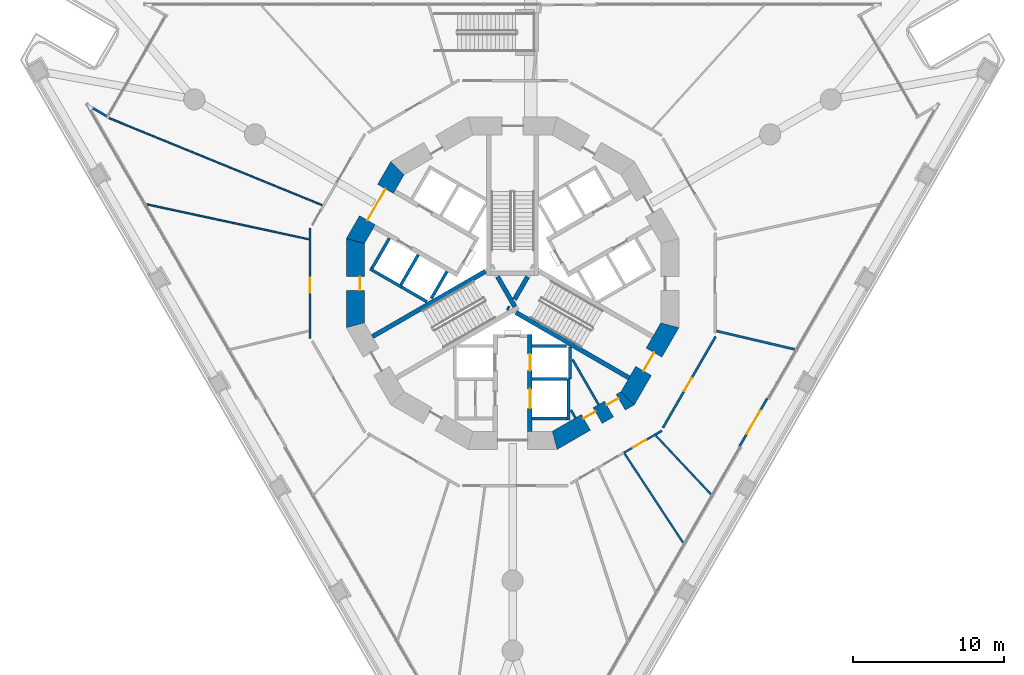
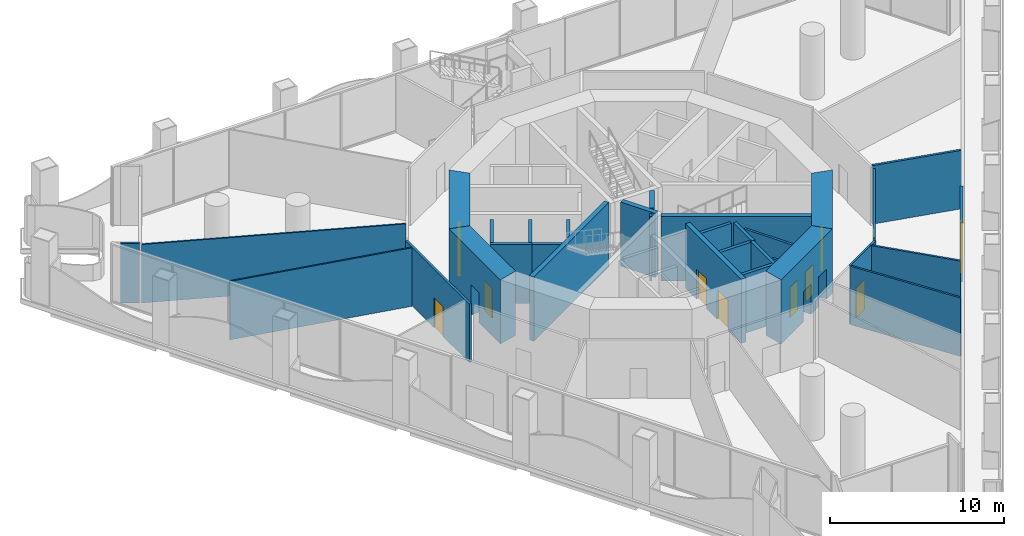
# One storey, part 11 of 21: 33 walls, 11 doors, 11 openings.
"""IFC4 building model written with IfcOpenShell, lengths in metres."""

from ifc_helpers import new_model, si_unit, direction, frame, frame_2d, origin, place, context, subcontext, project, spatial, polyline, rectangle, outline, extrude, material, layer, layer_set, type_object, element, fill, save


model = new_model("IFC4")

# Units and contexts
model_context = context("Model", 3, precision=1e-05, world=origin(), true_north=direction((0.0, 1.0)))
body_context = subcontext(model_context, "Body", "Model", "MODEL_VIEW")
ifc_project = project(units=[si_unit("LENGTHUNIT", "METRE"), si_unit("AREAUNIT", "SQUARE_METRE"), si_unit("VOLUMEUNIT", "CUBIC_METRE"), si_unit("PLANEANGLEUNIT", "RADIAN"), si_unit("MASSUNIT", "GRAM", prefix="KILO")], contexts=[model_context])

# Site, building, storey
site_placement = place(None, origin())
site = spatial("IfcSite", under=ifc_project, at=site_placement, CompositionType="ELEMENT")
building_placement = place(site_placement, origin())
building = spatial("IfcBuilding", under=site, at=building_placement, Name="Trine Commons Tower", CompositionType="ELEMENT")
storey_placement = place(building_placement, frame((0.0, 0.0, 9.0)))
storey = spatial("IfcBuildingStorey", under=building, at=storey_placement, Name="L01", CompositionType="ELEMENT", Elevation=9.0)

# Wall, opening, door
ifc_material_1 = material(Name="Plasterboard on steel stud", Category="steel")
ifc_layer_1 = layer(ifc_material_1, 0.14990234375)
ifc_layer_set_1 = layer_set([ifc_layer_1], Name="Plasterboard on steel stud")
wall_type_1 = type_object("IfcWallType", Name="Compartment wall 150 mm, EI 60", PredefinedType="PARTITIONING", material=ifc_layer_set_1)
wall_1_placement = place(storey_placement, frame((66.58837890625, 58.831298828125, 0.0), z_axis=(0.0, 0.0, 1.0), x_axis=(0.0, 1.0, 0.0)))
wall_1 = element("IfcWall", 1, at=wall_1_placement, inside=storey, type_object=wall_type_1, Name="Partition P1005", PredefinedType="PARTITIONING", context=body_context, shape_type="SweptSolid", body=[
    extrude(rectangle(XDim=7.33740234375, YDim=0.14990234375, at=frame_2d((3.668701171875, 0.0))), origin(), (0.0, 0.0, 1.0), 4.10009765625),
])
opening_1_placement = place(wall_1_placement, frame((3.039306640625, 0.0, 0.0)))
opening_1 = element("IfcOpeningElement", 2, at=opening_1_placement, cuts=wall_1, Name="Opening D-P101", PredefinedType="OPENING", context=body_context, shape_type="SweptSolid", body=[
    extrude(rectangle(XDim=1.0, YDim=2.10009765625, at=frame_2d((0.5, 1.050048828125))), frame((0.0, 0.0849609375, 0.0), z_axis=(0.0, -1.0, 0.0), x_axis=(1.0, 0.0, 0.0)), (0.0, 0.0, 1.0), 0.169921875),
])
ifc_material_2 = material(Name="Timber fire door set", Category="wood")
door_type_1 = type_object("IfcDoorType", Name="Single swing door 1000x2100, FD30S", OperationType="SINGLE_SWING_LEFT", PredefinedType="DOOR", material=ifc_material_2)
door_1_placement = place(opening_1_placement, origin())
door_1 = element("IfcDoor", 3, at=door_1_placement, inside=storey, type_object=door_type_1, Name="Door D-P101", OperationType="SINGLE_SWING_LEFT", OverallHeight=2.10009765625, OverallWidth=1.0, PredefinedType="DOOR", context=body_context, shape_type="SweptSolid", body=[
    extrude(rectangle(XDim=1.0, YDim=2.10009765625, at=frame_2d((0.5, 1.050048828125))), frame((0.0, 0.02490234375, 0.0), z_axis=(0.0, -1.0, 0.0), x_axis=(1.0, 0.0, 0.0)), (0.0, 0.0, 1.0), 0.050048828125),
])
fill(opening_1, door_1)

# Wall
wall_2_placement = place(storey_placement, frame((89.431396484375, 52.458984375, 0.0), z_axis=(0.0, 0.0, 1.0), x_axis=(0.866130991122, 0.499817072756, 0.0)))
element("IfcWall", 4, at=wall_2_placement, inside=storey, type_object=wall_type_1, Name="Partition P1028", PredefinedType="PARTITIONING", context=body_context, shape_type="SweptSolid", body=[
    extrude(rectangle(XDim=0.521240234375, YDim=0.14990234375, at=frame_2d((0.2607421875, 0.0))), origin(), (0.0, 0.0, 1.0), 4.10009765625),
])

# Wall, opening, door
wall_3_placement = place(storey_placement, frame((93.448974609375, 58.971435546875, 0.0), z_axis=(0.0, 0.0, 1.0), x_axis=(-0.49997871953, -0.866037689721, 0.0)))
wall_3 = element("IfcWall", 5, at=wall_3_placement, inside=storey, type_object=wall_type_1, Name="Partition P1030", PredefinedType="PARTITIONING", context=body_context, shape_type="SweptSolid", body=[
    extrude(rectangle(XDim=6.982177734375, YDim=0.14990234375, at=frame_2d((3.4912109375, 0.0))), origin(), (0.0, 0.0, 1.0), 4.10009765625),
])
opening_2_placement = place(wall_3_placement, frame((3.168701171875, 0.0, 0.0)))
opening_2 = element("IfcOpeningElement", 6, at=opening_2_placement, cuts=wall_3, Name="Opening D-P114", PredefinedType="OPENING", context=body_context, shape_type="SweptSolid", body=[
    extrude(rectangle(XDim=1.0, YDim=2.10009765625, at=frame_2d((0.5, 1.050048828125))), frame((0.0, 0.0849609375, 0.0), z_axis=(0.0, -1.0, 0.0), x_axis=(1.0, 0.0, 0.0)), (0.0, 0.0, 1.0), 0.169921875),
])
door_2_placement = place(opening_2_placement, origin())
door_2 = element("IfcDoor", 7, at=door_2_placement, inside=storey, type_object=door_type_1, Name="Door D-P114", OperationType="SINGLE_SWING_LEFT", OverallHeight=2.10009765625, OverallWidth=1.0, PredefinedType="DOOR", context=body_context, shape_type="SweptSolid", body=[
    extrude(rectangle(XDim=1.0, YDim=2.10009765625, at=frame_2d((0.5, 1.050048828125))), frame((0.0, 0.02490234375, 0.0), z_axis=(0.0, -1.0, 0.0), x_axis=(1.0, 0.0, 0.0)), (0.0, 0.0, 1.0), 0.050048828125),
])
fill(opening_2, door_2)

# Walls
wall_4_placement = place(storey_placement, frame((93.503662109375, 59.331298828125, 0.0), z_axis=(0.0, 0.0, 1.0), x_axis=(0.97355986618, -0.228432018255, 0.0)))
element("IfcWall", 8, at=wall_4_placement, inside=storey, type_object=wall_type_1, Name="Partition P1033", PredefinedType="PARTITIONING", context=body_context, shape_type="SweptSolid", body=[
    extrude(rectangle(XDim=5.333251953125, YDim=0.14990234375, at=frame_2d((2.66650390625, 0.0))), origin(), (0.0, 0.0, 1.0), 4.10009765625),
])
ifc_material_3 = material(Name="Plasterboard partition on steel studs", Category="steel")
ifc_layer_2 = layer(ifc_material_3, 0.14990234375)
ifc_layer_set_2 = layer_set([ifc_layer_2], Name="Plasterboard partition on steel studs")
wall_type_2 = type_object("IfcWallType", Name="Core room partition 150 mm, EI 60", PredefinedType="PARTITIONING", material=ifc_layer_set_2)
wall_5_placement = place(storey_placement, frame((84.1640625, 53.574951171875, 0.0), z_axis=(0.0, 0.0, 1.0), x_axis=(-0.500665675203, 0.865640734759, 0.0)))
element("IfcWall", 9, at=wall_5_placement, inside=storey, type_object=wall_type_2, Name="Core room partition L01", PredefinedType="PARTITIONING", context=body_context, shape_type="SweptSolid", body=[
    extrude(rectangle(XDim=0.597412109375, YDim=0.14990234375, at=frame_2d((0.298828125, 0.0))), origin(), (0.0, 0.0, 1.0), 4.14990234375),
])
wall_6_placement = place(storey_placement, frame((85.693115234375, 54.4580078125, 0.0), z_axis=(0.0, 0.0, 1.0), x_axis=(-0.500258757272, 0.865875958653, 0.0)))
element("IfcWall", 10, at=wall_6_placement, inside=storey, type_object=wall_type_2, Name="Core room partition L01", PredefinedType="PARTITIONING", context=body_context, shape_type="SweptSolid", body=[
    extrude(rectangle(XDim=3.454345703125, YDim=0.14990234375, at=frame_2d((1.72705078125, 0.0))), origin(), (0.0, 0.0, 1.0), 4.14990234375),
])

# Wall, opening, door
ifc_material_4 = material(Name="Aluminium-framed insulated wall panel", Category="aluminium")
ifc_layer_3 = layer(ifc_material_4, 0.14990234375)
ifc_layer_set_3 = layer_set([ifc_layer_3], Name="Aluminium-framed insulated wall panel")
wall_type_3 = type_object("IfcWallType", Name="Glazed entrance wall 150, EI 60", PredefinedType="SOLIDWALL", material=ifc_layer_set_3)
wall_7_placement = place(storey_placement, frame((96.876708984375, 54.89208984375, 0.0), z_axis=(0.0, 0.0, 1.0), x_axis=(-0.500029062817, -0.866008623709, 0.0)))
wall_7 = element("IfcWall", 11, at=wall_7_placement, inside=storey, type_object=wall_type_3, Name="Glazed entrance wall L01 F2 7", PredefinedType="SOLIDWALL", context=body_context, shape_type="SweptSolid", body=[
    extrude(rectangle(XDim=3.698974609375, YDim=0.14990234375, at=frame_2d((1.849609375, 0.0))), origin(), (0.0, 0.0, 1.0), 4.14990234375),
])
opening_3_placement = place(wall_7_placement, frame((0.949462890625, 0.0, 0.0)))
opening_3 = element("IfcOpeningElement", 12, at=opening_3_placement, cuts=wall_7, Name="Opening SD-L01-F2-07", PredefinedType="OPENING", context=body_context, shape_type="SweptSolid", body=[
    extrude(rectangle(XDim=1.800048828125, YDim=2.39990234375, at=frame_2d((0.89990234375, 1.199951171875))), frame((0.0, 0.0849609375, 0.0), z_axis=(0.0, -1.0, 0.0), x_axis=(1.0, 0.0, 0.0)), (0.0, 0.0, 1.0), 0.169921875),
])
ifc_material_5 = material(Name="Anodised aluminium frame with double glazing", Category="aluminium")
door_type_2 = type_object("IfcDoorType", Name="Sliding double door 1800x2400", OperationType="DOUBLE_DOOR_SLIDING", PredefinedType="DOOR", material=ifc_material_5)
door_3_placement = place(opening_3_placement, origin())
door_3 = element("IfcDoor", 13, at=door_3_placement, inside=storey, type_object=door_type_2, Name="Loggia door L01 F2 7", OperationType="DOUBLE_DOOR_SLIDING", OverallHeight=2.39990234375, OverallWidth=1.800048828125, PredefinedType="DOOR", context=body_context, shape_type="SweptSolid", body=[
    extrude(rectangle(XDim=1.800048828125, YDim=2.39990234375, at=frame_2d((0.89990234375, 1.199951171875))), frame((0.0, 0.02490234375, 0.0), z_axis=(0.0, -1.0, 0.0), x_axis=(1.0, 0.0, 0.0)), (0.0, 0.0, 1.0), 0.050048828125),
])
fill(opening_3, door_3)

# Walls
ifc_layer_4 = layer(ifc_material_4, 0.14990234375)
ifc_layer_set_4 = layer_set([ifc_layer_4], Name="Aluminium-framed insulated wall panel")
wall_type_4 = type_object("IfcWallType", Name="Glazed frame wall 150, EI 60", PredefinedType="SOLIDWALL", material=ifc_layer_set_4)
wall_8_placement = place(storey_placement, frame((52.074462890625, 74.159912109375, 0.0), z_axis=(0.0, 0.0, 1.0), x_axis=(0.865989100438, -0.500062873969, 0.0)))
element("IfcWall", 14, at=wall_8_placement, inside=storey, type_object=wall_type_4, Name="Glazed frame wall L01 R1", PredefinedType="SOLIDWALL", context=body_context, shape_type="SweptSolid", body=[
    extrude(outline(polyline([(0.1494140625, 0.074951171875), (0.1494140625, -0.074951171875), (1.235107421875, -0.074951171875), (1.235107421875, 0.074951171875), (0.1494140625, 0.074951171875)])), origin(), (0.0, 0.0, 1.0), 4.14990234375),
])
ifc_layer_5 = layer(ifc_material_1, 0.10009765625)
ifc_layer_set_5 = layer_set([ifc_layer_5], Name="Plasterboard on steel stud")
wall_type_5 = type_object("IfcWallType", Name="Partition wall 100 mm stud, not rated", PredefinedType="PARTITIONING", material=ifc_layer_set_5)
wall_9_placement = place(storey_placement, frame((53.2216796875, 73.45703125, 0.0), z_axis=(0.0, 0.0, 1.0), x_axis=(0.925520292398, -0.37869801737, 0.0)))
element("IfcWall", 15, at=wall_9_placement, inside=storey, type_object=wall_type_5, Name="Partition P1001", PredefinedType="PARTITIONING", context=body_context, shape_type="SweptSolid", body=[
    extrude(rectangle(XDim=15.315673828125, YDim=0.10009765625, at=frame_2d((7.65771484375, 0.0))), origin(), (0.0, 0.0, 1.0), 4.10009765625),
])
wall_10_placement = place(storey_placement, frame((55.756103515625, 67.722412109375, 0.0), z_axis=(0.0, 0.0, 1.0), x_axis=(0.97757728006, -0.210576972887, 0.0)))
element("IfcWall", 16, at=wall_10_placement, inside=storey, type_object=wall_type_5, Name="Partition P1002", PredefinedType="PARTITIONING", context=body_context, shape_type="SweptSolid", body=[
    extrude(rectangle(XDim=10.993408203125, YDim=0.10009765625, at=frame_2d((5.49658203125, 0.0))), origin(), (0.0, 0.0, 1.0), 4.10009765625),
])

# Wall, opening, door
ifc_material_6 = material(Name="Concrete C80/95", Category="concrete")
ifc_layer_6 = layer(ifc_material_6, 1.199951171875)
ifc_layer_set_6 = layer_set([ifc_layer_6], Name="Concrete C80/95")
wall_type_6 = type_object("IfcWallType", Name="RC shear wall 1200 mm, C80/95", PredefinedType="SHEAR", material=ifc_layer_set_6)
wall_11_placement = place(storey_placement, frame((72.45849609375, 70.260986328125, 0.0), z_axis=(0.0, 0.0, 1.0), x_axis=(-0.499979111662, -0.866037463336, 0.0)))
wall_11 = element("IfcWall", 17, at=wall_11_placement, inside=storey, type_object=wall_type_6, Name="Core wall CWA-06 L01", PredefinedType="SHEAR", context=body_context, shape_type="SweptSolid", body=[
    extrude(outline(polyline([(0.0, -0.60009765625), (5.901123046875, -0.60009765625), (5.57958984375, 0.60009765625), (0.321533203125, 0.60009765625), (0.0, -0.60009765625)])), origin(), (0.0, 0.0, 1.0), 4.5),
])
opening_4_placement = place(wall_11_placement, frame((1.75048828125, 0.0, 0.0)))
opening_4 = element("IfcOpeningElement", 18, at=opening_4_placement, cuts=wall_11, Name="Opening K04.06", PredefinedType="OPENING", context=body_context, shape_type="SweptSolid", body=[
    extrude(rectangle(XDim=2.39990234375, YDim=2.10009765625, at=frame_2d((1.199951171875, 1.050048828125))), frame((0.0, 0.60986328125, 0.0), z_axis=(0.0, -1.0, 0.0), x_axis=(1.0, 0.0, 0.0)), (0.0, 0.0, 1.0), 1.219970703125),
])
ifc_material_7 = material(Name="Steel door leaves, fire-rated", Category="steel")
door_type_3 = type_object("IfcDoorType", Name="Lobby door, double leaf 2400 x 2100, FD60", OperationType="DOUBLE_DOOR_SINGLE_SWING", PredefinedType="DOOR", material=ifc_material_7)
door_4_placement = place(opening_4_placement, origin())
door_4 = element("IfcDoor", 19, at=door_4_placement, inside=storey, type_object=door_type_3, Name="Lobby door, Passenger lift lobby B L01", OperationType="DOUBLE_DOOR_SINGLE_SWING", OverallHeight=2.10009765625, OverallWidth=2.39990234375, PredefinedType="DOOR", context=body_context, shape_type="SweptSolid", body=[
    extrude(rectangle(XDim=2.39990234375, YDim=2.10009765625, at=frame_2d((1.199951171875, 1.050048828125))), frame((0.0, 0.02490234375, 0.0), z_axis=(0.0, -1.0, 0.0), x_axis=(1.0, 0.0, 0.0)), (0.0, 0.0, 1.0), 0.050048828125),
])
fill(opening_4, door_4)

wall_12_placement = place(storey_placement, frame((69.58837890625, 65.450439453125, 0.0), z_axis=(0.0, 0.0, 1.0), x_axis=(0.0, -1.0, 0.0)))
wall_12 = element("IfcWall", 20, at=wall_12_placement, inside=storey, type_object=wall_type_6, Name="Core wall CWA-07 L01", PredefinedType="SHEAR", context=body_context, shape_type="SweptSolid", body=[
    extrude(outline(polyline([(0.0, -0.60009765625), (5.90087890625, -0.60009765625), (5.57958984375, 0.60009765625), (0.321533203125, 0.60009765625), (0.0, -0.60009765625)])), origin(), (0.0, 0.0, 1.0), 4.5),
])
opening_5_placement = place(wall_12_placement, frame((2.525390625, 0.0, 0.0)))
opening_5 = element("IfcOpeningElement", 21, at=opening_5_placement, cuts=wall_12, Name="Opening K04.14", PredefinedType="OPENING", context=body_context, shape_type="SweptSolid", body=[
    extrude(rectangle(XDim=0.89990234375, YDim=2.10009765625, at=frame_2d((0.449951171875, 1.050048828125))), frame((0.0, 0.60986328125, 0.0), z_axis=(0.0, -1.0, 0.0), x_axis=(1.0, 0.0, 0.0)), (0.0, 0.0, 1.0), 1.219970703125),
])
ifc_material_8 = material(Name="Steel door leaf, fire-rated", Category="steel")
door_type_4 = type_object("IfcDoorType", Name="Core room door, single leaf 900 x 2100, FD30S", OperationType="SINGLE_SWING_LEFT", PredefinedType="DOOR", material=ifc_material_8)
door_5_placement = place(opening_5_placement, origin())
door_5 = element("IfcDoor", 22, at=door_5_placement, inside=storey, type_object=door_type_4, Name="Door to Print room L01", OperationType="SINGLE_SWING_RIGHT", OverallHeight=2.10009765625, OverallWidth=0.89990234375, PredefinedType="DOOR", context=body_context, shape_type="SweptSolid", body=[
    extrude(rectangle(XDim=0.89990234375, YDim=2.10009765625, at=frame_2d((0.449951171875, 1.050048828125))), frame((0.0, 0.3251953125, 0.0), z_axis=(0.0, -1.0, 0.0), x_axis=(1.0, 0.0, 0.0)), (0.0, 0.0, 1.0), 0.050048828125),
])
fill(opening_5, door_5)

# Wall, openings, doors
wall_13_placement = place(storey_placement, frame((82.650390625, 52.008056640625, 0.0), z_axis=(0.0, 0.0, 1.0), x_axis=(0.866037463336, 0.499979111662, 0.0)))
wall_13 = element("IfcWall", 23, at=wall_13_placement, inside=storey, type_object=wall_type_6, Name="Core wall CWA-11 L01", PredefinedType="SHEAR", context=body_context, shape_type="SweptSolid", body=[
    extrude(outline(polyline([(0.0, -0.60009765625), (5.901123046875, -0.60009765625), (5.57958984375, 0.60009765625), (0.321533203125, 0.60009765625), (0.0, -0.60009765625)])), origin(), (0.0, 0.0, 1.0), 4.5),
])
opening_6_placement = place(wall_13_placement, frame((2.543701171875, 0.0, 0.0)))
opening_6 = element("IfcOpeningElement", 24, at=opening_6_placement, cuts=wall_13, Name="Opening K04.16", PredefinedType="OPENING", context=body_context, shape_type="SweptSolid", body=[
    extrude(rectangle(XDim=0.89990234375, YDim=2.10009765625, at=frame_2d((0.449951171875, 1.050048828125))), frame((0.0, 0.60986328125, 0.0), z_axis=(0.0, -1.0, 0.0), x_axis=(1.0, 0.0, 0.0)), (0.0, 0.0, 1.0), 1.219970703125),
])
opening_7_placement = place(wall_13_placement, frame((4.308837890625, 0.0, 0.0)))
opening_7 = element("IfcOpeningElement", 25, at=opening_7_placement, cuts=wall_13, Name="Opening K04.17", PredefinedType="OPENING", context=body_context, shape_type="SweptSolid", body=[
    extrude(rectangle(XDim=0.89990234375, YDim=2.10009765625, at=frame_2d((0.449951171875, 1.050048828125))), frame((0.0, 0.60986328125, 0.0), z_axis=(0.0, -1.0, 0.0), x_axis=(1.0, 0.0, 0.0)), (0.0, 0.0, 1.0), 1.219970703125),
])
door_6_placement = place(opening_6_placement, origin())
door_6 = element("IfcDoor", 26, at=door_6_placement, inside=storey, type_object=door_type_4, Name="Door to Linen store L01", OperationType="SINGLE_SWING_RIGHT", OverallHeight=2.10009765625, OverallWidth=0.89990234375, PredefinedType="DOOR", context=body_context, shape_type="SweptSolid", body=[
    extrude(rectangle(XDim=0.89990234375, YDim=2.10009765625, at=frame_2d((0.449951171875, 1.050048828125))), frame((0.0, 0.3251953125, 0.0), z_axis=(0.0, -1.0, 0.0), x_axis=(1.0, 0.0, 0.0)), (0.0, 0.0, 1.0), 0.050048828125),
])
fill(opening_6, door_6)
door_7_placement = place(opening_7_placement, origin())
door_7 = element("IfcDoor", 27, at=door_7_placement, inside=storey, type_object=door_type_4, Name="Door to Pantry L01", OperationType="SINGLE_SWING_RIGHT", OverallHeight=2.10009765625, OverallWidth=0.89990234375, PredefinedType="DOOR", context=body_context, shape_type="SweptSolid", body=[
    extrude(rectangle(XDim=0.89990234375, YDim=2.10009765625, at=frame_2d((0.449951171875, 1.050048828125))), frame((0.0, 0.3251953125, 0.0), z_axis=(0.0, -1.0, 0.0), x_axis=(1.0, 0.0, 0.0)), (0.0, 0.0, 1.0), 0.050048828125),
])
fill(opening_7, door_7)

# Wall, opening, door
wall_14_placement = place(storey_placement, frame((87.54150390625, 54.739013671875, 0.0), z_axis=(0.0, 0.0, 1.0), x_axis=(0.499979111662, 0.866037463336, 0.0)))
wall_14 = element("IfcWall", 28, at=wall_14_placement, inside=storey, type_object=wall_type_6, Name="Core wall CWA-12 L01", PredefinedType="SHEAR", context=body_context, shape_type="SweptSolid", body=[
    extrude(outline(polyline([(0.0, -0.60009765625), (5.901123046875, -0.60009765625), (5.57958984375, 0.60009765625), (0.321533203125, 0.60009765625), (0.0, -0.60009765625)])), origin(), (0.0, 0.0, 1.0), 4.5),
])
opening_8_placement = place(wall_14_placement, frame((2.25048828125, 0.0, 0.0)))
opening_8 = element("IfcOpeningElement", 29, at=opening_8_placement, cuts=wall_14, Name="Opening K04.03", PredefinedType="OPENING", context=body_context, shape_type="SweptSolid", body=[
    extrude(rectangle(XDim=1.39990234375, YDim=2.10009765625, at=frame_2d((0.699951171875, 1.050048828125))), frame((0.0, 0.60986328125, 0.0), z_axis=(0.0, -1.0, 0.0), x_axis=(1.0, 0.0, 0.0)), (0.0, 0.0, 1.0), 1.219970703125),
])
door_type_5 = type_object("IfcDoorType", Name="Stair door, double leaf 1400 x 2100, FD90", OperationType="DOUBLE_DOOR_SINGLE_SWING", PredefinedType="DOOR", material=ifc_material_7)
door_8_placement = place(opening_8_placement, origin())
door_8 = element("IfcDoor", 30, at=door_8_placement, inside=storey, type_object=door_type_5, Name="Stair door to Exit stair ST3A L01", OperationType="DOUBLE_DOOR_SINGLE_SWING", OverallHeight=2.10009765625, OverallWidth=1.39990234375, PredefinedType="DOOR", context=body_context, shape_type="SweptSolid", body=[
    extrude(rectangle(XDim=1.39990234375, YDim=2.10009765625, at=frame_2d((0.699951171875, 1.050048828125))), frame((0.0, 0.02490234375, 0.0), z_axis=(0.0, -1.0, 0.0), x_axis=(1.0, 0.0, 0.0)), (0.0, 0.0, 1.0), 0.050048828125),
])
fill(opening_8, door_8)

# Wall, openings, doors
ifc_layer_7 = layer(ifc_material_6, 0.300048828125)
ifc_layer_set_7 = layer_set([ifc_layer_7], Name="Concrete C80/95")
wall_type_7 = type_object("IfcWallType", Name="RC shear wall 300 mm, C80/95", PredefinedType="SHEAR", material=ifc_layer_set_7)
wall_15_placement = place(storey_placement, frame((81.14990234375, 59.10009765625, 0.0), z_axis=(0.0, 0.0, 1.0), x_axis=(0.0, -1.0, 0.0)))
wall_15 = element("IfcWall", 31, at=wall_15_placement, inside=storey, type_object=wall_type_7, Name="Core cross wall SWA-04 L01", PredefinedType="SHEAR", context=body_context, shape_type="SweptSolid", body=[
    extrude(rectangle(XDim=6.412109375, YDim=0.300048828125, at=frame_2d((3.2060546875, 0.0))), origin(), (0.0, 0.0, 1.0), 4.5),
])
opening_9_placement = place(wall_15_placement, frame((3.60009765625, 0.0, 0.0)))
opening_9 = element("IfcOpeningElement", 32, at=opening_9_placement, cuts=wall_15, Name="Opening LD11", PredefinedType="OPENING", context=body_context, shape_type="SweptSolid", body=[
    extrude(rectangle(XDim=1.300048828125, YDim=2.10009765625, at=frame_2d((0.64990234375, 1.050048828125))), frame((0.0, 0.159912109375, 0.0), z_axis=(0.0, -1.0, 0.0), x_axis=(1.0, 0.0, 0.0)), (0.0, 0.0, 1.0), 0.320068359375),
])
opening_10_placement = place(wall_15_placement, frame((1.300048828125, 0.0, 0.0)))
opening_10 = element("IfcOpeningElement", 33, at=opening_10_placement, cuts=wall_15, Name="Opening LD9", PredefinedType="OPENING", context=body_context, shape_type="SweptSolid", body=[
    extrude(rectangle(XDim=1.10009765625, YDim=2.10009765625, at=frame_2d((0.550048828125, 1.050048828125))), frame((0.0, 0.159912109375, 0.0), z_axis=(0.0, -1.0, 0.0), x_axis=(1.0, 0.0, 0.0)), (0.0, 0.0, 1.0), 0.320068359375),
])
ifc_material_9 = material(Name="Stainless steel sliding door leaves", Category="steel")
door_type_6 = type_object("IfcDoorType", Name="Lift landing door, centre-opening sliding 1100 x 2100, FD90", OperationType="DOUBLE_DOOR_SLIDING", PredefinedType="DOOR", material=ifc_material_9)
door_9_placement = place(opening_10_placement, origin())
door_9 = element("IfcDoor", 34, at=door_9_placement, inside=storey, type_object=door_type_6, Name="Lift landing door FF1 L01", OperationType="DOUBLE_DOOR_SLIDING", OverallHeight=2.10009765625, OverallWidth=1.10009765625, PredefinedType="DOOR", context=body_context, shape_type="SweptSolid", body=[
    extrude(rectangle(XDim=1.10009765625, YDim=2.10009765625, at=frame_2d((0.550048828125, 1.050048828125))), frame((0.0, 0.02490234375, 0.0), z_axis=(0.0, -1.0, 0.0), x_axis=(1.0, 0.0, 0.0)), (0.0, 0.0, 1.0), 0.050048828125),
])
fill(opening_10, door_9)
door_type_7 = type_object("IfcDoorType", Name="Lift landing door, centre-opening sliding 1300 x 2100, FD90", OperationType="DOUBLE_DOOR_SLIDING", PredefinedType="DOOR", material=ifc_material_9)
door_10_placement = place(opening_9_placement, origin())
door_10 = element("IfcDoor", 35, at=door_10_placement, inside=storey, type_object=door_type_7, Name="Lift landing door G1 L01", OperationType="DOUBLE_DOOR_SLIDING", OverallHeight=2.10009765625, OverallWidth=1.300048828125, PredefinedType="DOOR", context=body_context, shape_type="SweptSolid", body=[
    extrude(rectangle(XDim=1.300048828125, YDim=2.10009765625, at=frame_2d((0.64990234375, 1.050048828125))), frame((0.0, 0.02490234375, 0.0), z_axis=(0.0, -1.0, 0.0), x_axis=(1.0, 0.0, 0.0)), (0.0, 0.0, 1.0), 0.050048828125),
])
fill(opening_9, door_10)

# Walls
wall_16_placement = place(storey_placement, frame((78.199951171875, 63.280029296875, 0.0), z_axis=(0.0, 0.0, 1.0), x_axis=(-0.865965399159, -0.500103916661, 0.0)))
element("IfcWall", 36, at=wall_16_placement, inside=storey, type_object=wall_type_7, Name="Core cross wall SWA-07 L01", PredefinedType="SHEAR", context=body_context, shape_type="SweptSolid", body=[
    extrude(rectangle(XDim=8.642333984375, YDim=0.300048828125, at=frame_2d((4.3212890625, 0.0))), origin(), (0.0, 0.0, 1.0), 4.5),
])
wall_17_placement = place(storey_placement, frame((79.0029296875, 62.926025390625, 0.0), z_axis=(0.0, 0.0, 1.0), x_axis=(0.499965247104, -0.866045467449, 0.0)))
element("IfcWall", 37, at=wall_17_placement, inside=storey, type_object=wall_type_7, Name="Core cross wall SWA-10 L01", PredefinedType="SHEAR", context=body_context, shape_type="SweptSolid", body=[
    extrude(rectangle(XDim=2.292236328125, YDim=0.300048828125, at=frame_2d((1.14599609375, 0.0))), origin(), (0.0, 0.0, 1.0), 4.5),
])
wall_18_placement = place(storey_placement, frame((79.64599609375, 60.885986328125, 0.0), z_axis=(0.0, 0.0, 1.0), x_axis=(0.867331893649, -0.497730234424, 0.0)))
element("IfcWall", 38, at=wall_18_placement, inside=storey, type_object=wall_type_7, Name="Core cross wall SWA-11 L01", PredefinedType="SHEAR", context=body_context, shape_type="SweptSolid", body=[
    extrude(rectangle(XDim=0.148681640625, YDim=0.300048828125, at=frame_2d((0.07421875, 0.0))), origin(), (0.0, 0.0, 1.0), 4.5),
])
wall_19_placement = place(storey_placement, frame((80.1298828125, 61.424072265625, 0.0), z_axis=(0.0, 0.0, 1.0), x_axis=(0.500014901547, 0.866016800201, 0.0)))
element("IfcWall", 39, at=wall_19_placement, inside=storey, type_object=wall_type_7, Name="Core cross wall SWA-12 L01", PredefinedType="SHEAR", context=body_context, shape_type="SweptSolid", body=[
    extrude(rectangle(XDim=1.734375, YDim=0.300048828125, at=frame_2d((0.8671875, 0.0))), origin(), (0.0, 0.0, 1.0), 4.5),
])
wall_20_placement = place(storey_placement, frame((80.22509765625, 60.552001953125, 0.0), z_axis=(0.0, 0.0, 1.0), x_axis=(0.865965399159, -0.500103916661, 0.0)))
element("IfcWall", 40, at=wall_20_placement, inside=storey, type_object=wall_type_7, Name="Core cross wall SWA-13 L01", PredefinedType="SHEAR", context=body_context, shape_type="SweptSolid", body=[
    extrude(rectangle(XDim=8.642333984375, YDim=0.300048828125, at=frame_2d((4.3212890625, 0.0))), origin(), (0.0, 0.0, 1.0), 4.5),
])
ifc_material_10 = material(Name="Fire-rated gypsum shaft wall system")
ifc_layer_8 = layer(ifc_material_10, 0.199951171875)
ifc_layer_set_8 = layer_set([ifc_layer_8], Name="Fire-rated gypsum shaft wall system")
wall_type_8 = type_object("IfcWallType", Name="Shaft wall 200 mm, EI 120", PredefinedType="PARTITIONING", material=ifc_layer_set_8)
wall_21_placement = place(storey_placement, frame((71.844970703125, 65.47607421875, 0.0), z_axis=(0.0, 0.0, 1.0), x_axis=(-0.500136062276, -0.86594683394, 0.0)))
element("IfcWall", 41, at=wall_21_placement, inside=storey, type_object=wall_type_8, Name="Shaft wall L01", PredefinedType="PARTITIONING", context=body_context, shape_type="SweptSolid", body=[
    extrude(rectangle(XDim=2.299072265625, YDim=0.199951171875, at=frame_2d((1.1494140625, 0.0))), origin(), (0.0, 0.0, 1.0), 4.14990234375),
])
wall_22_placement = place(storey_placement, frame((72.637939453125, 62.248046875, 0.0), z_axis=(0.0, 0.0, 1.0), x_axis=(-0.866177122335, 0.499737123639, 0.0)))
element("IfcWall", 42, at=wall_22_placement, inside=storey, type_object=wall_type_8, Name="Shaft wall L01", PredefinedType="PARTITIONING", context=body_context, shape_type="SweptSolid", body=[
    extrude(rectangle(XDim=2.401123046875, YDim=0.199951171875, at=frame_2d((1.20068359375, 0.0))), origin(), (0.0, 0.0, 1.0), 4.14990234375),
])
wall_23_placement = place(storey_placement, frame((73.7509765625, 64.3759765625, 0.0), z_axis=(0.0, 0.0, 1.0), x_axis=(-0.500136062276, -0.86594683394, 0.0)))
element("IfcWall", 43, at=wall_23_placement, inside=storey, type_object=wall_type_8, Name="Shaft wall L01", PredefinedType="PARTITIONING", context=body_context, shape_type="SweptSolid", body=[
    extrude(rectangle(XDim=2.299072265625, YDim=0.199951171875, at=frame_2d((1.1494140625, 0.0))), origin(), (0.0, 0.0, 1.0), 4.14990234375),
])
wall_24_placement = place(storey_placement, frame((74.324951171875, 61.27294921875, 0.0), z_axis=(0.0, 0.0, 1.0), x_axis=(-0.865780634835, 0.500423712812, 0.0)))
element("IfcWall", 44, at=wall_24_placement, inside=storey, type_object=wall_type_8, Name="Shaft wall L01", PredefinedType="PARTITIONING", context=body_context, shape_type="SweptSolid", body=[
    extrude(rectangle(XDim=1.948486328125, YDim=0.199951171875, at=frame_2d((0.97412109375, 0.0))), origin(), (0.0, 0.0, 1.0), 4.14990234375),
])
wall_25_placement = place(storey_placement, frame((75.656005859375, 63.27587890625, 0.0), z_axis=(0.0, 0.0, 1.0), x_axis=(-0.500271688072, -0.86586848777, 0.0)))
element("IfcWall", 45, at=wall_25_placement, inside=storey, type_object=wall_type_8, Name="Shaft wall L01", PredefinedType="PARTITIONING", context=body_context, shape_type="SweptSolid", body=[
    extrude(rectangle(XDim=2.064697265625, YDim=0.199951171875, at=frame_2d((1.0322265625, 0.0))), origin(), (0.0, 0.0, 1.0), 4.14990234375),
])
for number, where, z_axis, x_axis, name in (
    (46, (81.300048828125, 53.550048828125, 0.0), (0.0, 0.0, 1.0), (1.0, 0.0, 0.0), "Shaft wall L01"),
    (47, (81.300048828125, 56.14990234375, 0.0), (0.0, 0.0, 1.0), (1.0, 0.0, 0.0), "Shaft wall L01"),
):
    element("IfcWall", number, at=place(storey_placement, frame(where, z_axis=z_axis, x_axis=x_axis)), inside=storey, type_object=wall_type_8, Name=name, PredefinedType="PARTITIONING", context=body_context, shape_type="SweptSolid", body=[
        extrude(rectangle(XDim=2.300048828125, YDim=0.199951171875, at=frame_2d((1.14990234375, 0.0))), origin(), (0.0, 0.0, 1.0), 4.14990234375),
    ])
wall_26_placement = place(storey_placement, frame((81.300048828125, 58.35009765625, 0.0), z_axis=(0.0, 0.0, 1.0), x_axis=(1.0, 0.0, 0.0)))
element("IfcWall", 48, at=wall_26_placement, inside=storey, type_object=wall_type_8, Name="Shaft wall L01", PredefinedType="PARTITIONING", context=body_context, shape_type="SweptSolid", body=[
    extrude(rectangle(XDim=2.264892578125, YDim=0.199951171875, at=frame_2d((1.13232421875, 0.0))), origin(), (0.0, 0.0, 1.0), 4.14990234375),
])
wall_27_placement = place(storey_placement, frame((83.699951171875, 56.14990234375, 0.0), z_axis=(0.0, 0.0, 1.0), x_axis=(0.0, -1.0, 0.0)))
element("IfcWall", 49, at=wall_27_placement, inside=storey, type_object=wall_type_8, Name="Shaft wall L01", PredefinedType="PARTITIONING", context=body_context, shape_type="SweptSolid", body=[
    extrude(rectangle(XDim=2.699951171875, YDim=0.199951171875, at=frame_2d((1.35009765625, 0.0))), origin(), (0.0, 0.0, 1.0), 4.14990234375),
])
wall_28_placement = place(storey_placement, frame((83.800048828125, 58.256103515625, 0.0), z_axis=(0.0, 0.0, 1.0), x_axis=(0.0, -1.0, 0.0)))
element("IfcWall", 50, at=wall_28_placement, inside=storey, type_object=wall_type_8, Name="Shaft wall L01", PredefinedType="PARTITIONING", context=body_context, shape_type="SweptSolid", body=[
    extrude(rectangle(XDim=2.106201171875, YDim=0.199951171875, at=frame_2d((1.05322265625, 0.0))), origin(), (0.0, 0.0, 1.0), 4.14990234375),
])

# Wall, opening, door
ifc_layer_9 = layer(ifc_material_1, 0.125)
ifc_layer_set_9 = layer_set([ifc_layer_9], Name="Plasterboard on steel stud")
wall_type_9 = type_object("IfcWallType", Name="Wet wall 125 mm stud, not rated", PredefinedType="PARTITIONING", material=ifc_layer_set_9)
wall_29_placement = place(storey_placement, frame((89.431640625, 52.458984375, 0.0), z_axis=(0.0, 0.0, 1.0), x_axis=(-0.866052053466, -0.499953838557, 0.0)))
wall_29 = element("IfcWall", 51, at=wall_29_placement, inside=storey, type_object=wall_type_9, Name="Partition P1025", PredefinedType="PARTITIONING", context=body_context, shape_type="SweptSolid", body=[
    extrude(rectangle(XDim=2.374755859375, YDim=0.125, at=frame_2d((1.1875, 0.0))), origin(), (0.0, 0.0, 1.0), 4.10009765625),
])
opening_11_placement = place(wall_29_placement, frame((0.6875, 0.0, 0.0)))
opening_11 = element("IfcOpeningElement", 52, at=opening_11_placement, cuts=wall_29, Name="Opening D-P113", PredefinedType="OPENING", context=body_context, shape_type="SweptSolid", body=[
    extrude(rectangle(XDim=1.0, YDim=2.10009765625, at=frame_2d((0.5, 1.050048828125))), frame((0.0, 0.072509765625, 0.0), z_axis=(0.0, -1.0, 0.0), x_axis=(1.0, 0.0, 0.0)), (0.0, 0.0, 1.0), 0.14501953125),
])
ifc_material_11 = material(Name="Painted timber", Category="wood")
door_type_8 = type_object("IfcDoorType", Name="Single swing door 1000x2100, not rated", OperationType="SINGLE_SWING_LEFT", PredefinedType="DOOR", material=ifc_material_11)
door_11_placement = place(opening_11_placement, origin())
door_11 = element("IfcDoor", 53, at=door_11_placement, inside=storey, type_object=door_type_8, Name="Door D-P113", OperationType="SINGLE_SWING_LEFT", OverallHeight=2.10009765625, OverallWidth=1.0, PredefinedType="DOOR", context=body_context, shape_type="SweptSolid", body=[
    extrude(rectangle(XDim=1.0, YDim=2.10009765625, at=frame_2d((0.5, 1.050048828125))), frame((0.0, 0.02490234375, 0.0), z_axis=(0.0, -1.0, 0.0), x_axis=(1.0, 0.0, 0.0)), (0.0, 0.0, 1.0), 0.050048828125),
])
fill(opening_11, door_11)

# Walls
wall_30_placement = place(storey_placement, frame((87.41162109375, 51.21630859375, 0.0), z_axis=(0.0, 0.0, 1.0), x_axis=(0.549012711585, -0.835813999953, 0.0)))
element("IfcWall", 54, at=wall_30_placement, inside=storey, type_object=wall_type_9, Name="Partition P1026", PredefinedType="PARTITIONING", context=body_context, shape_type="SweptSolid", body=[
    extrude(rectangle(XDim=7.0791015625, YDim=0.125, at=frame_2d((3.53955078125, 0.0))), origin(), (0.0, 0.0, 1.0), 4.10009765625),
])
wall_31_placement = place(storey_placement, frame((89.494384765625, 52.39208984375, 0.0), z_axis=(0.0, 0.0, 1.0), x_axis=(0.684637896696, -0.728883358575, 0.0)))
element("IfcWall", 55, at=wall_31_placement, inside=storey, type_object=wall_type_9, Name="Partition P1029", PredefinedType="PARTITIONING", context=body_context, shape_type="SweptSolid", body=[
    extrude(rectangle(XDim=5.335693359375, YDim=0.125, at=frame_2d((2.66796875, 0.0))), origin(), (0.0, 0.0, 1.0), 4.10009765625),
])

save(model, "model.ifc")
